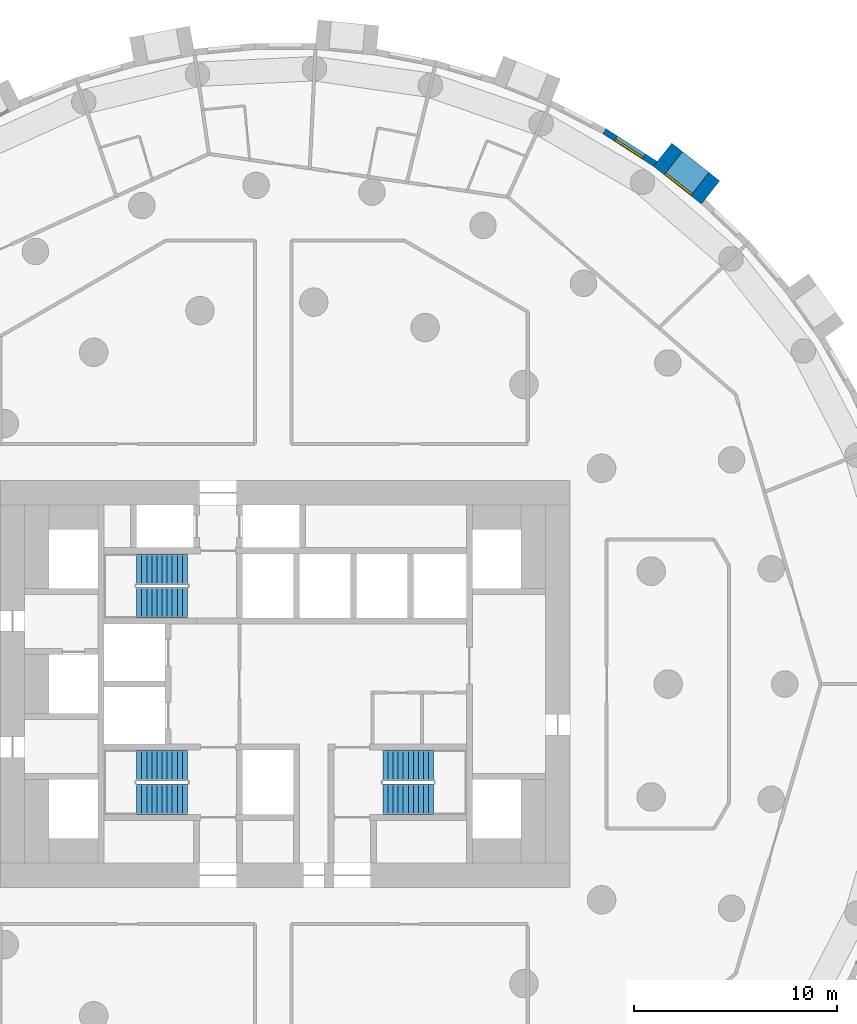
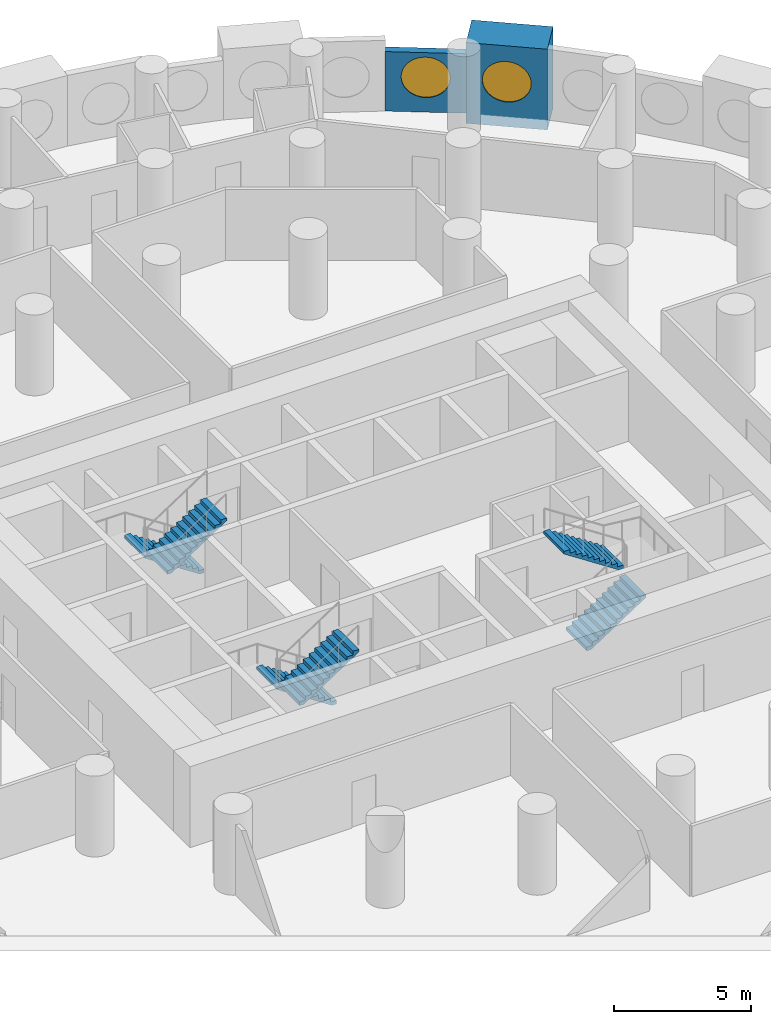
# One storey, part 10 of 11: 6 stair flights, 2 walls, 2 windows, 2 openings, 3 elements without a shape of their own.
"""IFC4 building model written with IfcOpenShell, lengths in metres."""

from ifc_helpers import new_model, si_unit, direction, frame, frame_2d, origin, origin_2d, place, context, subcontext, project, spatial, polyline, rectangle, circle, outline, extrude, material, layer, layer_set, type_object, element, fill, aggregate, save


model = new_model("IFC4")

# Units and contexts
model_context = context("Model", 3, precision=1e-05, world=origin(), true_north=direction((0.0, 1.0)))
body_context = subcontext(model_context, "Body", "Model", "MODEL_VIEW")
ifc_project = project(units=[si_unit("LENGTHUNIT", "METRE"), si_unit("AREAUNIT", "SQUARE_METRE"), si_unit("VOLUMEUNIT", "CUBIC_METRE"), si_unit("PLANEANGLEUNIT", "RADIAN"), si_unit("MASSUNIT", "GRAM", prefix="KILO")], contexts=[model_context])

# Site, building, storey
site_placement = place(None, origin())
site = spatial("IfcSite", under=ifc_project, at=site_placement, CompositionType="ELEMENT")
building_placement = place(site_placement, origin())
building = spatial("IfcBuilding", under=site, at=building_placement, Name="Tracery Tower", CompositionType="ELEMENT")
storey_placement = place(building_placement, frame((0.0, 0.0, 96.60009765625)))
storey = spatial("IfcBuildingStorey", under=building, at=storey_placement, Name="L24", CompositionType="ELEMENT", Elevation=96.60009765625)

# Wall, opening, window
ifc_material_1 = material(Name="Precast concrete C50/60", Category="concrete")
ifc_layer_1 = layer(ifc_material_1, 1.449951171875)
ifc_layer_set_1 = layer_set([ifc_layer_1], Name="Deep-set bay unit 3000 x 3600, slab edge 450")
wall_type_1 = type_object("IfcWallType", Name="Deep-set bay unit 3000 x 3600, slab edge 450", PredefinedType="ELEMENTEDWALL", material=ifc_layer_set_1)
wall_1_placement = place(storey_placement, frame((20.906982421875, 24.15869140625, -0.4501953125), z_axis=(0.0, 0.0, 1.0), x_axis=(-0.786049992888, 0.618162930529, 0.0)))
wall_1 = element("IfcWall", 1, at=wall_1_placement, inside=storey, type_object=wall_type_1, Name="Deep-set bay unit 10 at L24", PredefinedType="ELEMENTEDWALL", context=body_context, shape_type="SweptSolid", body=[
    extrude(rectangle(XDim=3.0, YDim=1.449951171875, at=frame_2d((1.5, 0.0))), origin(), (0.0, 0.0, 1.0), 3.60009765625),
])
opening_1_placement = place(wall_1_placement, frame((1.5, 0.0, 2.0)))
opening_1 = element("IfcOpeningElement", 2, at=opening_1_placement, cuts=wall_1, Name="Opening WN1", PredefinedType="OPENING", context=body_context, shape_type="SweptSolid", body=[
    extrude(circle(Radius=0.9000244140625, at=origin_2d()), frame((0.0, 0.73486328125, 0.0), z_axis=(0.0, -1.0, 0.0), x_axis=(1.0, 0.0, 0.0)), (0.0, 0.0, 1.0), 1.469970703125),
])
ifc_material_2 = material(Name="Aluminium frame with tinted double glazing", Category="aluminium")
window_type = type_object("IfcWindowType", Name="Round window 1800", PartitioningType="SINGLE_PANEL", PredefinedType="WINDOW", material=ifc_material_2)
window_1_placement = place(opening_1_placement, origin())
window_1 = element("IfcWindow", 3, at=window_1_placement, inside=storey, type_object=window_type, Name="Round window 10 at L24", OverallHeight=1.800048828125, OverallWidth=1.800048828125, PartitioningType="SINGLE_PANEL", PredefinedType="WINDOW", context=body_context, shape_type="SweptSolid", body=[
    extrude(circle(Radius=0.9000244140625, at=origin_2d()), frame((0.0, 0.69482421875, 0.0), z_axis=(0.0, -1.0, 0.0), x_axis=(1.0, 0.0, 0.0)), (0.0, 0.0, 1.0), 0.10009765625),
])
fill(opening_1, window_1)

ifc_material_3 = material(Name="Precast concrete C50/60", Category="concrete")
ifc_layer_2 = layer(ifc_material_3, 0.300048828125)
ifc_layer_set_2 = layer_set([ifc_layer_2], Name="Facade panel 3000 x 2650")
wall_type_2 = type_object("IfcWallType", Name="Facade panel 3000 x 2650", PredefinedType="SOLIDWALL", material=ifc_layer_set_2)
wall_2_placement = place(storey_placement, frame((18.19384765625, 25.56005859375, 0.0), z_axis=(0.0, 0.0, 1.0), x_axis=(-0.84122372879, 0.540687190639, 0.0)))
wall_2 = element("IfcWall", 4, at=wall_2_placement, inside=storey, type_object=wall_type_2, Name="Facade panel 11 at L24", PredefinedType="SOLIDWALL", context=body_context, shape_type="SweptSolid", body=[
    extrude(rectangle(XDim=2.979736328125, YDim=0.300048828125, at=frame_2d((1.48974609375, 0.0))), origin(), (0.0, 0.0, 1.0), 2.64990234375),
])
opening_2_placement = place(wall_2_placement, frame((1.48974609375, 0.0, 1.5498046875)))
opening_2 = element("IfcOpeningElement", 5, at=opening_2_placement, cuts=wall_2, Name="Opening WN1", PredefinedType="OPENING", context=body_context, shape_type="SweptSolid", body=[
    extrude(circle(Radius=0.9000244140625, at=origin_2d()), frame((0.0, 0.159912109375, 0.0), z_axis=(0.0, -1.0, 0.0), x_axis=(1.0, 0.0, 0.0)), (0.0, 0.0, 1.0), 0.320068359375),
])
window_2_placement = place(opening_2_placement, origin())
window_2 = element("IfcWindow", 6, at=window_2_placement, inside=storey, type_object=window_type, Name="Round window 11 at L24", OverallHeight=1.800048828125, OverallWidth=1.800048828125, PartitioningType="SINGLE_PANEL", PredefinedType="WINDOW", context=body_context, shape_type="SweptSolid", body=[
    extrude(circle(Radius=0.9000244140625, at=origin_2d()), frame((0.0, 0.1201171875, 0.0), z_axis=(0.0, -1.0, 0.0), x_axis=(1.0, 0.0, 0.0)), (0.0, 0.0, 1.0), 0.10009765625),
])
fill(opening_2, window_2)

# Stair, stair flights
ifc_material_4 = material(Name="Concrete C32/40", Category="concrete")
stair_type = type_object("IfcStairType", Name="Core stair 22 risers", PredefinedType="HALF_TURN_STAIR", material=ifc_material_4)
stair_1_placement = place(storey_placement, origin())
stair_1 = element("IfcStair", 7, at=stair_1_placement, inside=storey, type_object=stair_type, Name="L24 stair ST1", PredefinedType="HALF_TURN_STAIR")
ifc_material_5 = material(Name="Concrete C32/40", Category="concrete")
stair_flight_type = type_object("IfcStairFlightType", Name="Core stair flight 11 risers", PredefinedType="STRAIGHT", material=ifc_material_5)
stair_flight_1_placement = place(storey_placement, frame((-4.800048828125, -4.0, 0.0), z_axis=(0.0, 0.0, 1.0), x_axis=(-1.0, 0.0, 0.0)))
stair_flight_1 = element("IfcStairFlight", 8, at=stair_flight_1_placement, type_object=stair_flight_type, Name="ST1 flight 1", NumberOfRisers=11, NumberOfTreads=10, PredefinedType="STRAIGHT", RiserHeight=0.163636364, TreadLength=0.25, context=body_context, shape_type="SweptSolid", body=[
    extrude(outline(polyline([(0.0, 0.0), (0.0, 0.002685546875), (0.0, 0.00537109375), (0.0, 0.008056640625), (0.0, 0.0107421875), (0.0, 0.013427734375), (0.0, 0.01611328125), (0.0, 0.018798828125), (0.0, 0.021484375), (0.0, 0.024169921875), (0.0, 0.02685546875), (0.0, 0.029541015625), (0.0, 0.0322265625), (0.0, 0.034912109375), (0.0, 0.03759765625), (0.0, 0.040283203125), (0.0, 0.04296875), (0.0, 0.045654296875), (0.0, 0.04833984375), (0.0, 0.051025390625), (0.0, 0.0537109375), (0.0, 0.056396484375), (0.0, 0.05908203125), (0.0, 0.061767578125), (0.0, 0.064453125), (0.0, 0.067138671875), (0.0, 0.06982421875), (0.0, 0.072509765625), (0.0, 0.0751953125), (0.0, 0.077880859375), (0.0, 0.08056640625), (0.0, 0.083251953125), (0.0, 0.0859375), (0.0, 0.088623046875), (0.0, 0.09130859375), (0.0, 0.093994140625), (0.0, 0.0966796875), (0.0, 0.099365234375), (0.0, 0.10205078125), (0.0, 0.104736328125), (0.0, 0.107421875), (0.0, 0.10986328125), (0.0, 0.112548828125), (0.0, 0.115234375), (0.0, 0.117919921875), (0.0, 0.12060546875), (0.0, 0.123291015625), (0.0, 0.1259765625), (0.0, 0.128662109375), (0.0, 0.13134765625), (0.0, 0.134033203125), (0.0, 0.13671875), (0.0, 0.139404296875), (0.0, 0.14208984375), (0.0, 0.144775390625), (0.0, 0.1474609375), (0.0, 0.150146484375), (0.0, 0.15283203125), (0.0, 0.155517578125), (0.0, 0.158203125), (0.0, 0.160888671875), (0.0, 0.16357421875), (0.25, 0.16357421875), (0.25, 0.327392578125), (0.5, 0.327392578125), (0.5, 0.490966796875), (0.75, 0.490966796875), (0.75, 0.654541015625), (1.0, 0.654541015625), (1.0, 0.818115234375), (1.25, 0.818115234375), (1.25, 0.98193359375), (1.5, 0.98193359375), (1.5, 1.1455078125), (1.75, 1.1455078125), (1.75, 1.30908203125), (2.0, 1.30908203125), (2.0, 1.47265625), (2.25, 1.47265625), (2.25, 1.636474609375), (2.5, 1.636474609375), (2.5, 1.634521484375), (2.5, 1.63232421875), (2.5, 1.63037109375), (2.5, 1.62841796875), (2.5, 1.62646484375), (2.5, 1.62451171875), (2.5, 1.62255859375), (2.5, 1.62060546875), (2.5, 1.61865234375), (2.5, 1.61669921875), (2.5, 1.61474609375), (2.5, 1.61279296875), (2.5, 1.61083984375), (2.5, 1.60888671875), (2.5, 1.60693359375), (2.5, 1.60498046875), (2.5, 1.60302734375), (2.5, 1.60107421875), (2.5, 1.59912109375), (2.5, 1.59716796875), (2.5, 1.59521484375), (2.5, 1.59326171875), (2.5, 1.59130859375), (2.5, 1.58935546875), (2.5, 1.58740234375), (2.5, 1.58544921875), (2.5, 1.58349609375), (2.5, 1.58154296875), (2.5, 1.57958984375), (2.5, 1.57763671875), (2.5, 1.57568359375), (2.5, 1.573486328125), (2.5, 1.571533203125), (2.5, 1.569580078125), (2.5, 1.567626953125), (2.5, 1.565673828125), (2.5, 1.563720703125), (2.5, 1.561767578125), (2.5, 1.559814453125), (2.5, 1.557861328125), (2.5, 1.555908203125), (2.5, 1.553955078125), (2.5, 1.552001953125), (2.5, 1.550048828125), (2.5, 1.548095703125), (2.5, 1.546142578125), (2.5, 1.544189453125), (2.5, 1.542236328125), (2.5, 1.540283203125), (2.5, 1.538330078125), (2.5, 1.536376953125), (2.5, 1.534423828125), (2.5, 1.532470703125), (2.5, 1.530517578125), (2.5, 1.528564453125), (2.5, 1.526611328125), (2.5, 1.524658203125), (2.5, 1.522705078125), (2.5, 1.520751953125), (2.5, 1.518798828125), (2.5, 1.516845703125), (0.182861328125, 0.0), (0.0, 0.0)])), frame((0.0, 0.75, 0.0), z_axis=(0.0, -1.0, 0.0), x_axis=(1.0, 0.0, 0.0)), (0.0, 0.0, 1.0), 1.5),
])
stair_flight_2_placement = place(storey_placement, frame((-7.300048828125, -5.64990234375, 1.7998046875), z_axis=(0.0, 0.0, 1.0), x_axis=(1.0, 0.0, 0.0)))
stair_flight_2 = element("IfcStairFlight", 9, at=stair_flight_2_placement, type_object=stair_flight_type, Name="ST1 flight 2", NumberOfRisers=11, NumberOfTreads=10, PredefinedType="STRAIGHT", RiserHeight=0.163636364, TreadLength=0.25, context=body_context, shape_type="SweptSolid", body=[
    extrude(outline(polyline([(0.0, 0.0), (0.0, 0.002685546875), (0.0, 0.00537109375), (0.0, 0.008056640625), (0.0, 0.0107421875), (0.0, 0.013427734375), (0.0, 0.01611328125), (0.0, 0.018798828125), (0.0, 0.021484375), (0.0, 0.024169921875), (0.0, 0.02685546875), (0.0, 0.029541015625), (0.0, 0.0322265625), (0.0, 0.034912109375), (0.0, 0.03759765625), (0.0, 0.040283203125), (0.0, 0.04296875), (0.0, 0.045654296875), (0.0, 0.04833984375), (0.0, 0.051025390625), (0.0, 0.0537109375), (0.0, 0.056396484375), (0.0, 0.05908203125), (0.0, 0.061767578125), (0.0, 0.064453125), (0.0, 0.067138671875), (0.0, 0.06982421875), (0.0, 0.072509765625), (0.0, 0.0751953125), (0.0, 0.077880859375), (0.0, 0.08056640625), (0.0, 0.083251953125), (0.0, 0.0859375), (0.0, 0.088623046875), (0.0, 0.09130859375), (0.0, 0.093994140625), (0.0, 0.0966796875), (0.0, 0.099365234375), (0.0, 0.10205078125), (0.0, 0.104736328125), (0.0, 0.107421875), (0.0, 0.10986328125), (0.0, 0.112548828125), (0.0, 0.115234375), (0.0, 0.117919921875), (0.0, 0.12060546875), (0.0, 0.123291015625), (0.0, 0.1259765625), (0.0, 0.128662109375), (0.0, 0.13134765625), (0.0, 0.134033203125), (0.0, 0.13671875), (0.0, 0.139404296875), (0.0, 0.14208984375), (0.0, 0.144775390625), (0.0, 0.1474609375), (0.0, 0.150146484375), (0.0, 0.15283203125), (0.0, 0.155517578125), (0.0, 0.158203125), (0.0, 0.160888671875), (0.0, 0.16357421875), (0.25, 0.16357421875), (0.25, 0.327392578125), (0.5, 0.327392578125), (0.5, 0.490966796875), (0.75, 0.490966796875), (0.75, 0.654541015625), (1.0, 0.654541015625), (1.0, 0.818115234375), (1.25, 0.818115234375), (1.25, 0.98193359375), (1.5, 0.98193359375), (1.5, 1.1455078125), (1.75, 1.1455078125), (1.75, 1.30908203125), (2.0, 1.30908203125), (2.0, 1.47265625), (2.25, 1.47265625), (2.25, 1.636474609375), (2.5, 1.636474609375), (2.5, 1.634521484375), (2.5, 1.63232421875), (2.5, 1.63037109375), (2.5, 1.62841796875), (2.5, 1.62646484375), (2.5, 1.62451171875), (2.5, 1.62255859375), (2.5, 1.62060546875), (2.5, 1.61865234375), (2.5, 1.61669921875), (2.5, 1.61474609375), (2.5, 1.61279296875), (2.5, 1.61083984375), (2.5, 1.60888671875), (2.5, 1.60693359375), (2.5, 1.60498046875), (2.5, 1.60302734375), (2.5, 1.60107421875), (2.5, 1.59912109375), (2.5, 1.59716796875), (2.5, 1.59521484375), (2.5, 1.59326171875), (2.5, 1.59130859375), (2.5, 1.58935546875), (2.5, 1.58740234375), (2.5, 1.58544921875), (2.5, 1.58349609375), (2.5, 1.58154296875), (2.5, 1.57958984375), (2.5, 1.57763671875), (2.5, 1.57568359375), (2.5, 1.573486328125), (2.5, 1.571533203125), (2.5, 1.569580078125), (2.5, 1.567626953125), (2.5, 1.565673828125), (2.5, 1.563720703125), (2.5, 1.561767578125), (2.5, 1.559814453125), (2.5, 1.557861328125), (2.5, 1.555908203125), (2.5, 1.553955078125), (2.5, 1.552001953125), (2.5, 1.550048828125), (2.5, 1.548095703125), (2.5, 1.546142578125), (2.5, 1.544189453125), (2.5, 1.542236328125), (2.5, 1.540283203125), (2.5, 1.538330078125), (2.5, 1.536376953125), (2.5, 1.534423828125), (2.5, 1.532470703125), (2.5, 1.530517578125), (2.5, 1.528564453125), (2.5, 1.526611328125), (2.5, 1.524658203125), (2.5, 1.522705078125), (2.5, 1.520751953125), (2.5, 1.518798828125), (2.5, 1.516845703125), (0.182861328125, 0.0), (0.0, 0.0)])), frame((0.0, 0.75, 0.0), z_axis=(0.0, -1.0, 0.0), x_axis=(1.0, 0.0, 0.0)), (0.0, 0.0, 1.0), 1.5),
])
aggregate(stair_1, [stair_flight_1, stair_flight_2])

stair_2_placement = place(storey_placement, origin())
stair_2 = element("IfcStair", 10, at=stair_2_placement, inside=storey, type_object=stair_type, Name="L24 stair ST3", PredefinedType="HALF_TURN_STAIR")
stair_flight_3_placement = place(storey_placement, frame((-4.800048828125, 5.64990234375, 0.0), z_axis=(0.0, 0.0, 1.0), x_axis=(-1.0, 0.0, 0.0)))
stair_flight_3 = element("IfcStairFlight", 11, at=stair_flight_3_placement, type_object=stair_flight_type, Name="ST3 flight 1", NumberOfRisers=11, NumberOfTreads=10, PredefinedType="STRAIGHT", RiserHeight=0.163636364, TreadLength=0.25, context=body_context, shape_type="SweptSolid", body=[
    extrude(outline(polyline([(0.0, 0.0), (0.0, 0.002685546875), (0.0, 0.00537109375), (0.0, 0.008056640625), (0.0, 0.0107421875), (0.0, 0.013427734375), (0.0, 0.01611328125), (0.0, 0.018798828125), (0.0, 0.021484375), (0.0, 0.024169921875), (0.0, 0.02685546875), (0.0, 0.029541015625), (0.0, 0.0322265625), (0.0, 0.034912109375), (0.0, 0.03759765625), (0.0, 0.040283203125), (0.0, 0.04296875), (0.0, 0.045654296875), (0.0, 0.04833984375), (0.0, 0.051025390625), (0.0, 0.0537109375), (0.0, 0.056396484375), (0.0, 0.05908203125), (0.0, 0.061767578125), (0.0, 0.064453125), (0.0, 0.067138671875), (0.0, 0.06982421875), (0.0, 0.072509765625), (0.0, 0.0751953125), (0.0, 0.077880859375), (0.0, 0.08056640625), (0.0, 0.083251953125), (0.0, 0.0859375), (0.0, 0.088623046875), (0.0, 0.09130859375), (0.0, 0.093994140625), (0.0, 0.0966796875), (0.0, 0.099365234375), (0.0, 0.10205078125), (0.0, 0.104736328125), (0.0, 0.107421875), (0.0, 0.10986328125), (0.0, 0.112548828125), (0.0, 0.115234375), (0.0, 0.117919921875), (0.0, 0.12060546875), (0.0, 0.123291015625), (0.0, 0.1259765625), (0.0, 0.128662109375), (0.0, 0.13134765625), (0.0, 0.134033203125), (0.0, 0.13671875), (0.0, 0.139404296875), (0.0, 0.14208984375), (0.0, 0.144775390625), (0.0, 0.1474609375), (0.0, 0.150146484375), (0.0, 0.15283203125), (0.0, 0.155517578125), (0.0, 0.158203125), (0.0, 0.160888671875), (0.0, 0.16357421875), (0.25, 0.16357421875), (0.25, 0.327392578125), (0.5, 0.327392578125), (0.5, 0.490966796875), (0.75, 0.490966796875), (0.75, 0.654541015625), (1.0, 0.654541015625), (1.0, 0.818115234375), (1.25, 0.818115234375), (1.25, 0.98193359375), (1.5, 0.98193359375), (1.5, 1.1455078125), (1.75, 1.1455078125), (1.75, 1.30908203125), (2.0, 1.30908203125), (2.0, 1.47265625), (2.25, 1.47265625), (2.25, 1.636474609375), (2.5, 1.636474609375), (2.5, 1.634521484375), (2.5, 1.63232421875), (2.5, 1.63037109375), (2.5, 1.62841796875), (2.5, 1.62646484375), (2.5, 1.62451171875), (2.5, 1.62255859375), (2.5, 1.62060546875), (2.5, 1.61865234375), (2.5, 1.61669921875), (2.5, 1.61474609375), (2.5, 1.61279296875), (2.5, 1.61083984375), (2.5, 1.60888671875), (2.5, 1.60693359375), (2.5, 1.60498046875), (2.5, 1.60302734375), (2.5, 1.60107421875), (2.5, 1.59912109375), (2.5, 1.59716796875), (2.5, 1.59521484375), (2.5, 1.59326171875), (2.5, 1.59130859375), (2.5, 1.58935546875), (2.5, 1.58740234375), (2.5, 1.58544921875), (2.5, 1.58349609375), (2.5, 1.58154296875), (2.5, 1.57958984375), (2.5, 1.57763671875), (2.5, 1.57568359375), (2.5, 1.573486328125), (2.5, 1.571533203125), (2.5, 1.569580078125), (2.5, 1.567626953125), (2.5, 1.565673828125), (2.5, 1.563720703125), (2.5, 1.561767578125), (2.5, 1.559814453125), (2.5, 1.557861328125), (2.5, 1.555908203125), (2.5, 1.553955078125), (2.5, 1.552001953125), (2.5, 1.550048828125), (2.5, 1.548095703125), (2.5, 1.546142578125), (2.5, 1.544189453125), (2.5, 1.542236328125), (2.5, 1.540283203125), (2.5, 1.538330078125), (2.5, 1.536376953125), (2.5, 1.534423828125), (2.5, 1.532470703125), (2.5, 1.530517578125), (2.5, 1.528564453125), (2.5, 1.526611328125), (2.5, 1.524658203125), (2.5, 1.522705078125), (2.5, 1.520751953125), (2.5, 1.518798828125), (2.5, 1.516845703125), (0.182861328125, 0.0), (0.0, 0.0)])), frame((0.0, 0.75, 0.0), z_axis=(0.0, -1.0, 0.0), x_axis=(1.0, 0.0, 0.0)), (0.0, 0.0, 1.0), 1.5),
])
stair_flight_4_placement = place(storey_placement, frame((-7.300048828125, 4.0, 1.7998046875), z_axis=(0.0, 0.0, 1.0), x_axis=(1.0, 0.0, 0.0)))
stair_flight_4 = element("IfcStairFlight", 12, at=stair_flight_4_placement, type_object=stair_flight_type, Name="ST3 flight 2", NumberOfRisers=11, NumberOfTreads=10, PredefinedType="STRAIGHT", RiserHeight=0.163636364, TreadLength=0.25, context=body_context, shape_type="SweptSolid", body=[
    extrude(outline(polyline([(0.0, 0.0), (0.0, 0.002685546875), (0.0, 0.00537109375), (0.0, 0.008056640625), (0.0, 0.0107421875), (0.0, 0.013427734375), (0.0, 0.01611328125), (0.0, 0.018798828125), (0.0, 0.021484375), (0.0, 0.024169921875), (0.0, 0.02685546875), (0.0, 0.029541015625), (0.0, 0.0322265625), (0.0, 0.034912109375), (0.0, 0.03759765625), (0.0, 0.040283203125), (0.0, 0.04296875), (0.0, 0.045654296875), (0.0, 0.04833984375), (0.0, 0.051025390625), (0.0, 0.0537109375), (0.0, 0.056396484375), (0.0, 0.05908203125), (0.0, 0.061767578125), (0.0, 0.064453125), (0.0, 0.067138671875), (0.0, 0.06982421875), (0.0, 0.072509765625), (0.0, 0.0751953125), (0.0, 0.077880859375), (0.0, 0.08056640625), (0.0, 0.083251953125), (0.0, 0.0859375), (0.0, 0.088623046875), (0.0, 0.09130859375), (0.0, 0.093994140625), (0.0, 0.0966796875), (0.0, 0.099365234375), (0.0, 0.10205078125), (0.0, 0.104736328125), (0.0, 0.107421875), (0.0, 0.10986328125), (0.0, 0.112548828125), (0.0, 0.115234375), (0.0, 0.117919921875), (0.0, 0.12060546875), (0.0, 0.123291015625), (0.0, 0.1259765625), (0.0, 0.128662109375), (0.0, 0.13134765625), (0.0, 0.134033203125), (0.0, 0.13671875), (0.0, 0.139404296875), (0.0, 0.14208984375), (0.0, 0.144775390625), (0.0, 0.1474609375), (0.0, 0.150146484375), (0.0, 0.15283203125), (0.0, 0.155517578125), (0.0, 0.158203125), (0.0, 0.160888671875), (0.0, 0.16357421875), (0.25, 0.16357421875), (0.25, 0.327392578125), (0.5, 0.327392578125), (0.5, 0.490966796875), (0.75, 0.490966796875), (0.75, 0.654541015625), (1.0, 0.654541015625), (1.0, 0.818115234375), (1.25, 0.818115234375), (1.25, 0.98193359375), (1.5, 0.98193359375), (1.5, 1.1455078125), (1.75, 1.1455078125), (1.75, 1.30908203125), (2.0, 1.30908203125), (2.0, 1.47265625), (2.25, 1.47265625), (2.25, 1.636474609375), (2.5, 1.636474609375), (2.5, 1.634521484375), (2.5, 1.63232421875), (2.5, 1.63037109375), (2.5, 1.62841796875), (2.5, 1.62646484375), (2.5, 1.62451171875), (2.5, 1.62255859375), (2.5, 1.62060546875), (2.5, 1.61865234375), (2.5, 1.61669921875), (2.5, 1.61474609375), (2.5, 1.61279296875), (2.5, 1.61083984375), (2.5, 1.60888671875), (2.5, 1.60693359375), (2.5, 1.60498046875), (2.5, 1.60302734375), (2.5, 1.60107421875), (2.5, 1.59912109375), (2.5, 1.59716796875), (2.5, 1.59521484375), (2.5, 1.59326171875), (2.5, 1.59130859375), (2.5, 1.58935546875), (2.5, 1.58740234375), (2.5, 1.58544921875), (2.5, 1.58349609375), (2.5, 1.58154296875), (2.5, 1.57958984375), (2.5, 1.57763671875), (2.5, 1.57568359375), (2.5, 1.573486328125), (2.5, 1.571533203125), (2.5, 1.569580078125), (2.5, 1.567626953125), (2.5, 1.565673828125), (2.5, 1.563720703125), (2.5, 1.561767578125), (2.5, 1.559814453125), (2.5, 1.557861328125), (2.5, 1.555908203125), (2.5, 1.553955078125), (2.5, 1.552001953125), (2.5, 1.550048828125), (2.5, 1.548095703125), (2.5, 1.546142578125), (2.5, 1.544189453125), (2.5, 1.542236328125), (2.5, 1.540283203125), (2.5, 1.538330078125), (2.5, 1.536376953125), (2.5, 1.534423828125), (2.5, 1.532470703125), (2.5, 1.530517578125), (2.5, 1.528564453125), (2.5, 1.526611328125), (2.5, 1.524658203125), (2.5, 1.522705078125), (2.5, 1.520751953125), (2.5, 1.518798828125), (2.5, 1.516845703125), (0.182861328125, 0.0), (0.0, 0.0)])), frame((0.0, 0.75, 0.0), z_axis=(0.0, -1.0, 0.0), x_axis=(1.0, 0.0, 0.0)), (0.0, 0.0, 1.0), 1.5),
])
aggregate(stair_2, [stair_flight_3, stair_flight_4])

stair_3_placement = place(storey_placement, origin())
stair_3 = element("IfcStair", 13, at=stair_3_placement, inside=storey, type_object=stair_type, Name="L24 stair ST2", PredefinedType="HALF_TURN_STAIR")
stair_flight_5_placement = place(storey_placement, frame((4.800048828125, -5.64990234375, 0.0), z_axis=(0.0, 0.0, 1.0), x_axis=(1.0, 0.0, 0.0)))
stair_flight_5 = element("IfcStairFlight", 14, at=stair_flight_5_placement, type_object=stair_flight_type, Name="ST2 flight 1", NumberOfRisers=11, NumberOfTreads=10, PredefinedType="STRAIGHT", RiserHeight=0.163636364, TreadLength=0.25, context=body_context, shape_type="SweptSolid", body=[
    extrude(outline(polyline([(0.0, 0.0), (0.0, 0.002685546875), (0.0, 0.00537109375), (0.0, 0.008056640625), (0.0, 0.0107421875), (0.0, 0.013427734375), (0.0, 0.01611328125), (0.0, 0.018798828125), (0.0, 0.021484375), (0.0, 0.024169921875), (0.0, 0.02685546875), (0.0, 0.029541015625), (0.0, 0.0322265625), (0.0, 0.034912109375), (0.0, 0.03759765625), (0.0, 0.040283203125), (0.0, 0.04296875), (0.0, 0.045654296875), (0.0, 0.04833984375), (0.0, 0.051025390625), (0.0, 0.0537109375), (0.0, 0.056396484375), (0.0, 0.05908203125), (0.0, 0.061767578125), (0.0, 0.064453125), (0.0, 0.067138671875), (0.0, 0.06982421875), (0.0, 0.072509765625), (0.0, 0.0751953125), (0.0, 0.077880859375), (0.0, 0.08056640625), (0.0, 0.083251953125), (0.0, 0.0859375), (0.0, 0.088623046875), (0.0, 0.09130859375), (0.0, 0.093994140625), (0.0, 0.0966796875), (0.0, 0.099365234375), (0.0, 0.10205078125), (0.0, 0.104736328125), (0.0, 0.107421875), (0.0, 0.10986328125), (0.0, 0.112548828125), (0.0, 0.115234375), (0.0, 0.117919921875), (0.0, 0.12060546875), (0.0, 0.123291015625), (0.0, 0.1259765625), (0.0, 0.128662109375), (0.0, 0.13134765625), (0.0, 0.134033203125), (0.0, 0.13671875), (0.0, 0.139404296875), (0.0, 0.14208984375), (0.0, 0.144775390625), (0.0, 0.1474609375), (0.0, 0.150146484375), (0.0, 0.15283203125), (0.0, 0.155517578125), (0.0, 0.158203125), (0.0, 0.160888671875), (0.0, 0.16357421875), (0.25, 0.16357421875), (0.25, 0.327392578125), (0.5, 0.327392578125), (0.5, 0.490966796875), (0.75, 0.490966796875), (0.75, 0.654541015625), (1.0, 0.654541015625), (1.0, 0.818115234375), (1.25, 0.818115234375), (1.25, 0.98193359375), (1.5, 0.98193359375), (1.5, 1.1455078125), (1.75, 1.1455078125), (1.75, 1.30908203125), (2.0, 1.30908203125), (2.0, 1.47265625), (2.25, 1.47265625), (2.25, 1.636474609375), (2.5, 1.636474609375), (2.5, 1.634521484375), (2.5, 1.63232421875), (2.5, 1.63037109375), (2.5, 1.62841796875), (2.5, 1.62646484375), (2.5, 1.62451171875), (2.5, 1.62255859375), (2.5, 1.62060546875), (2.5, 1.61865234375), (2.5, 1.61669921875), (2.5, 1.61474609375), (2.5, 1.61279296875), (2.5, 1.61083984375), (2.5, 1.60888671875), (2.5, 1.60693359375), (2.5, 1.60498046875), (2.5, 1.60302734375), (2.5, 1.60107421875), (2.5, 1.59912109375), (2.5, 1.59716796875), (2.5, 1.59521484375), (2.5, 1.59326171875), (2.5, 1.59130859375), (2.5, 1.58935546875), (2.5, 1.58740234375), (2.5, 1.58544921875), (2.5, 1.58349609375), (2.5, 1.58154296875), (2.5, 1.57958984375), (2.5, 1.57763671875), (2.5, 1.57568359375), (2.5, 1.573486328125), (2.5, 1.571533203125), (2.5, 1.569580078125), (2.5, 1.567626953125), (2.5, 1.565673828125), (2.5, 1.563720703125), (2.5, 1.561767578125), (2.5, 1.559814453125), (2.5, 1.557861328125), (2.5, 1.555908203125), (2.5, 1.553955078125), (2.5, 1.552001953125), (2.5, 1.550048828125), (2.5, 1.548095703125), (2.5, 1.546142578125), (2.5, 1.544189453125), (2.5, 1.542236328125), (2.5, 1.540283203125), (2.5, 1.538330078125), (2.5, 1.536376953125), (2.5, 1.534423828125), (2.5, 1.532470703125), (2.5, 1.530517578125), (2.5, 1.528564453125), (2.5, 1.526611328125), (2.5, 1.524658203125), (2.5, 1.522705078125), (2.5, 1.520751953125), (2.5, 1.518798828125), (2.5, 1.516845703125), (0.182861328125, 0.0), (0.0, 0.0)])), frame((0.0, 0.75, 0.0), z_axis=(0.0, -1.0, 0.0), x_axis=(1.0, 0.0, 0.0)), (0.0, 0.0, 1.0), 1.5),
])
stair_flight_6_placement = place(storey_placement, frame((7.300048828125, -4.0, 1.7998046875), z_axis=(0.0, 0.0, 1.0), x_axis=(-1.0, 0.0, 0.0)))
stair_flight_6 = element("IfcStairFlight", 15, at=stair_flight_6_placement, type_object=stair_flight_type, Name="ST2 flight 2", NumberOfRisers=11, NumberOfTreads=10, PredefinedType="STRAIGHT", RiserHeight=0.163636364, TreadLength=0.25, context=body_context, shape_type="SweptSolid", body=[
    extrude(outline(polyline([(0.0, 0.0), (0.0, 0.002685546875), (0.0, 0.00537109375), (0.0, 0.008056640625), (0.0, 0.0107421875), (0.0, 0.013427734375), (0.0, 0.01611328125), (0.0, 0.018798828125), (0.0, 0.021484375), (0.0, 0.024169921875), (0.0, 0.02685546875), (0.0, 0.029541015625), (0.0, 0.0322265625), (0.0, 0.034912109375), (0.0, 0.03759765625), (0.0, 0.040283203125), (0.0, 0.04296875), (0.0, 0.045654296875), (0.0, 0.04833984375), (0.0, 0.051025390625), (0.0, 0.0537109375), (0.0, 0.056396484375), (0.0, 0.05908203125), (0.0, 0.061767578125), (0.0, 0.064453125), (0.0, 0.067138671875), (0.0, 0.06982421875), (0.0, 0.072509765625), (0.0, 0.0751953125), (0.0, 0.077880859375), (0.0, 0.08056640625), (0.0, 0.083251953125), (0.0, 0.0859375), (0.0, 0.088623046875), (0.0, 0.09130859375), (0.0, 0.093994140625), (0.0, 0.0966796875), (0.0, 0.099365234375), (0.0, 0.10205078125), (0.0, 0.104736328125), (0.0, 0.107421875), (0.0, 0.10986328125), (0.0, 0.112548828125), (0.0, 0.115234375), (0.0, 0.117919921875), (0.0, 0.12060546875), (0.0, 0.123291015625), (0.0, 0.1259765625), (0.0, 0.128662109375), (0.0, 0.13134765625), (0.0, 0.134033203125), (0.0, 0.13671875), (0.0, 0.139404296875), (0.0, 0.14208984375), (0.0, 0.144775390625), (0.0, 0.1474609375), (0.0, 0.150146484375), (0.0, 0.15283203125), (0.0, 0.155517578125), (0.0, 0.158203125), (0.0, 0.160888671875), (0.0, 0.16357421875), (0.25, 0.16357421875), (0.25, 0.327392578125), (0.5, 0.327392578125), (0.5, 0.490966796875), (0.75, 0.490966796875), (0.75, 0.654541015625), (1.0, 0.654541015625), (1.0, 0.818115234375), (1.25, 0.818115234375), (1.25, 0.98193359375), (1.5, 0.98193359375), (1.5, 1.1455078125), (1.75, 1.1455078125), (1.75, 1.30908203125), (2.0, 1.30908203125), (2.0, 1.47265625), (2.25, 1.47265625), (2.25, 1.636474609375), (2.5, 1.636474609375), (2.5, 1.634521484375), (2.5, 1.63232421875), (2.5, 1.63037109375), (2.5, 1.62841796875), (2.5, 1.62646484375), (2.5, 1.62451171875), (2.5, 1.62255859375), (2.5, 1.62060546875), (2.5, 1.61865234375), (2.5, 1.61669921875), (2.5, 1.61474609375), (2.5, 1.61279296875), (2.5, 1.61083984375), (2.5, 1.60888671875), (2.5, 1.60693359375), (2.5, 1.60498046875), (2.5, 1.60302734375), (2.5, 1.60107421875), (2.5, 1.59912109375), (2.5, 1.59716796875), (2.5, 1.59521484375), (2.5, 1.59326171875), (2.5, 1.59130859375), (2.5, 1.58935546875), (2.5, 1.58740234375), (2.5, 1.58544921875), (2.5, 1.58349609375), (2.5, 1.58154296875), (2.5, 1.57958984375), (2.5, 1.57763671875), (2.5, 1.57568359375), (2.5, 1.573486328125), (2.5, 1.571533203125), (2.5, 1.569580078125), (2.5, 1.567626953125), (2.5, 1.565673828125), (2.5, 1.563720703125), (2.5, 1.561767578125), (2.5, 1.559814453125), (2.5, 1.557861328125), (2.5, 1.555908203125), (2.5, 1.553955078125), (2.5, 1.552001953125), (2.5, 1.550048828125), (2.5, 1.548095703125), (2.5, 1.546142578125), (2.5, 1.544189453125), (2.5, 1.542236328125), (2.5, 1.540283203125), (2.5, 1.538330078125), (2.5, 1.536376953125), (2.5, 1.534423828125), (2.5, 1.532470703125), (2.5, 1.530517578125), (2.5, 1.528564453125), (2.5, 1.526611328125), (2.5, 1.524658203125), (2.5, 1.522705078125), (2.5, 1.520751953125), (2.5, 1.518798828125), (2.5, 1.516845703125), (0.182861328125, 0.0), (0.0, 0.0)])), frame((0.0, 0.75, 0.0), z_axis=(0.0, -1.0, 0.0), x_axis=(1.0, 0.0, 0.0)), (0.0, 0.0, 1.0), 1.5),
])
aggregate(stair_3, [stair_flight_5, stair_flight_6])

save(model, "model.ifc")
